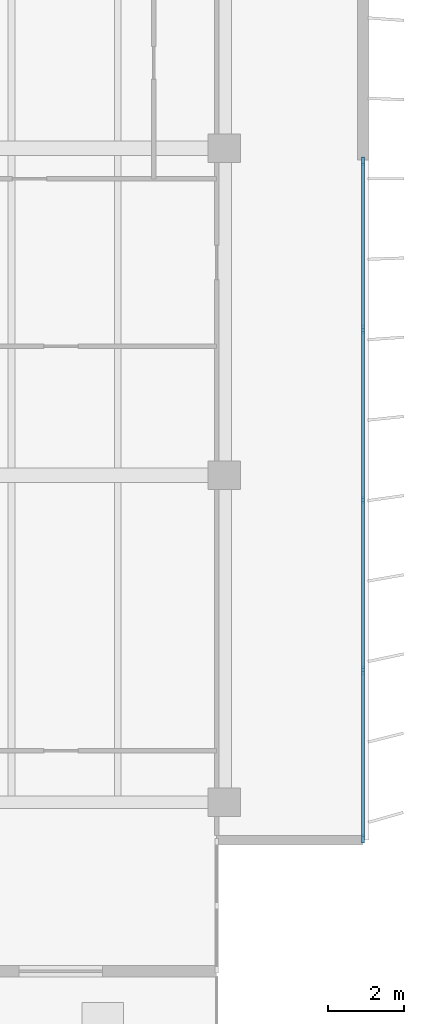
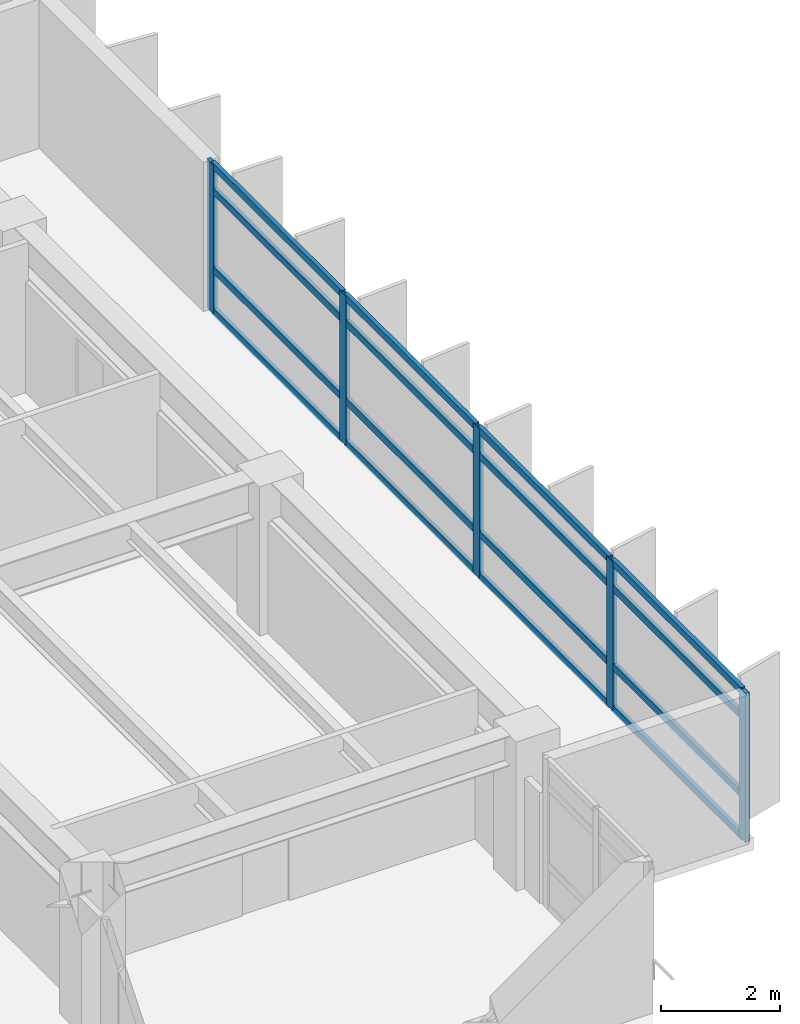
# One storey, part 6 of 17: 21 members, 1 element without a shape of its own.
"""IFC4 building model written with IfcOpenShell, lengths in metres."""

from ifc_helpers import new_model, si_unit, direction, frame, origin, origin_2d, place, context, subcontext, project, spatial, rectangle, extrude, material, layer, layer_set, material_profile, profile_set, type_object, element, aggregate, save


model = new_model("IFC4")

# Units and contexts
model_context = context("Model", 3, precision=1e-05, world=origin(), true_north=direction((0.0, 1.0)))
body_context = subcontext(model_context, "Body", "Model", "MODEL_VIEW")
ifc_project = project(units=[si_unit("LENGTHUNIT", "METRE"), si_unit("AREAUNIT", "SQUARE_METRE"), si_unit("VOLUMEUNIT", "CUBIC_METRE"), si_unit("PLANEANGLEUNIT", "RADIAN"), si_unit("MASSUNIT", "GRAM", prefix="KILO")], contexts=[model_context])

# Site, building, storey
site_placement = place(None, origin())
site = spatial("IfcSite", under=ifc_project, at=site_placement, CompositionType="ELEMENT")
building_placement = place(site_placement, origin())
building = spatial("IfcBuilding", under=site, at=building_placement, Name="Caelmar Bay Residences", CompositionType="ELEMENT")
storey_placement = place(building_placement, frame((0.0, 0.0, 201.60009765625)))
storey = spatial("IfcBuildingStorey", under=building, at=storey_placement, Name="L56", CompositionType="ELEMENT", Elevation=201.60009765625)

# Curtain wall, members
ifc_material_1 = material(Name="Anodised bronze aluminium 6063-T6 and laminated glass", Category="aluminium")
ifc_layer = layer(ifc_material_1, 0.179931640625)
ifc_layer_set = layer_set([ifc_layer], Name="Anodised bronze aluminium 6063-T6 and laminated glass")
curtain_wall_type = type_object("IfcCurtainWallType", Name="CW4-Z3", PredefinedType="NOTDEFINED", material=ifc_layer_set)
curtain_wall_placement = place(storey_placement, origin())
curtain_wall = element("IfcCurtainWall", 1, at=curtain_wall_placement, inside=storey, type_object=curtain_wall_type, Name="CW4 curtain wall L56", PredefinedType="NOTDEFINED")
ifc_material_2 = material(Name="Anodised bronze aluminium 6063-T6", Category="aluminium")
ifc_material_profile_1 = material_profile(ifc_material_2, rectangle(XDim=0.080078125, YDim=0.219970703125, at=origin_2d()), Name="CWM-80X220")
ifc_profile_set_1 = profile_set([ifc_material_profile_1], Name="Anodised bronze aluminium 6063-T6")
member_type_1 = type_object("IfcMemberType", Name="CWM-220", PredefinedType="MULLION", material=ifc_profile_set_1)
member_1_placement = place(storey_placement, frame((71.550048828125, 29.06005859375, 0.0), z_axis=(0.0, 0.0, 1.0), x_axis=(1.0, 0.0, 0.0)))
member_1 = element("IfcMember", 2, at=member_1_placement, type_object=member_type_1, Name="CW4 mullion 1", PredefinedType="MULLION", context=body_context, shape_type="SweptSolid", body=[
    extrude(rectangle(XDim=0.080078125, YDim=0.219970703125, at=origin_2d()), origin(), (0.0, 0.0, 1.0), 3.0498046875),
])
member_2_placement = place(storey_placement, frame((71.550048828125, 24.625, 0.0), z_axis=(0.0, 0.0, 1.0), x_axis=(1.0, 0.0, 0.0)))
member_2 = element("IfcMember", 3, at=member_2_placement, type_object=member_type_1, Name="CW4 mullion 2", PredefinedType="MULLION", context=body_context, shape_type="SweptSolid", body=[
    extrude(rectangle(XDim=0.080078125, YDim=0.219970703125, at=origin_2d()), origin(), (0.0, 0.0, 1.0), 3.0498046875),
])
member_3_placement = place(storey_placement, frame((71.550048828125, 20.14990234375, 0.0), z_axis=(0.0, 0.0, 1.0), x_axis=(1.0, 0.0, 0.0)))
member_3 = element("IfcMember", 4, at=member_3_placement, type_object=member_type_1, Name="CW4 mullion 3", PredefinedType="MULLION", context=body_context, shape_type="SweptSolid", body=[
    extrude(rectangle(XDim=0.080078125, YDim=0.219970703125, at=origin_2d()), origin(), (0.0, 0.0, 1.0), 3.0498046875),
])
member_4_placement = place(storey_placement, frame((71.550048828125, 15.675048828125, 0.0), z_axis=(0.0, 0.0, 1.0), x_axis=(1.0, 0.0, 0.0)))
member_4 = element("IfcMember", 5, at=member_4_placement, type_object=member_type_1, Name="CW4 mullion 4", PredefinedType="MULLION", context=body_context, shape_type="SweptSolid", body=[
    extrude(rectangle(XDim=0.080078125, YDim=0.219970703125, at=origin_2d()), origin(), (0.0, 0.0, 1.0), 3.0498046875),
])
member_5_placement = place(storey_placement, frame((71.550048828125, 11.239990234375, 0.0), z_axis=(0.0, 0.0, 1.0), x_axis=(1.0, 0.0, 0.0)))
member_5 = element("IfcMember", 6, at=member_5_placement, type_object=member_type_1, Name="CW4 mullion 5", PredefinedType="MULLION", context=body_context, shape_type="SweptSolid", body=[
    extrude(rectangle(XDim=0.080078125, YDim=0.219970703125, at=origin_2d()), origin(), (0.0, 0.0, 1.0), 3.0498046875),
])
ifc_material_profile_2 = material_profile(ifc_material_2, rectangle(XDim=0.080078125, YDim=0.139892578125, at=origin_2d()), Name="CWT-80X140")
ifc_profile_set_2 = profile_set([ifc_material_profile_2], Name="Anodised bronze aluminium 6063-T6")
member_type_2 = type_object("IfcMemberType", Name="CWT-140", PredefinedType="NOTDEFINED", material=ifc_profile_set_2)
member_6_placement = place(storey_placement, frame((71.550048828125, 29.02001953125, 0.039794921875), z_axis=(0.0, -1.0, 0.0), x_axis=(1.0, 0.0, 0.0)))
member_6 = element("IfcMember", 7, at=member_6_placement, type_object=member_type_2, Name="CW4 transom 1.1", ObjectType="TRANSOM", PredefinedType="USERDEFINED", context=body_context, shape_type="SweptSolid", body=[
    extrude(rectangle(XDim=0.080078125, YDim=0.139892578125, at=origin_2d()), origin(), (0.0, 0.0, 1.0), 4.35498046875),
])
member_7_placement = place(storey_placement, frame((71.550048828125, 29.02001953125, 0.89990234375), z_axis=(0.0, -1.0, 0.0), x_axis=(1.0, 0.0, 0.0)))
member_7 = element("IfcMember", 8, at=member_7_placement, type_object=member_type_2, Name="CW4 transom 1.2", ObjectType="TRANSOM", PredefinedType="USERDEFINED", context=body_context, shape_type="SweptSolid", body=[
    extrude(rectangle(XDim=0.080078125, YDim=0.139892578125, at=origin_2d()), origin(), (0.0, 0.0, 1.0), 4.35498046875),
])
member_8_placement = place(storey_placement, frame((71.550048828125, 29.02001953125, 2.5), z_axis=(0.0, -1.0, 0.0), x_axis=(1.0, 0.0, 0.0)))
member_8 = element("IfcMember", 9, at=member_8_placement, type_object=member_type_2, Name="CW4 transom 1.3", ObjectType="TRANSOM", PredefinedType="USERDEFINED", context=body_context, shape_type="SweptSolid", body=[
    extrude(rectangle(XDim=0.080078125, YDim=0.139892578125, at=origin_2d()), origin(), (0.0, 0.0, 1.0), 4.35498046875),
])
member_9_placement = place(storey_placement, frame((71.550048828125, 29.02001953125, 3.010009765625), z_axis=(0.0, -1.0, 0.0), x_axis=(1.0, 0.0, 0.0)))
member_9 = element("IfcMember", 10, at=member_9_placement, type_object=member_type_2, Name="CW4 transom 1.4", ObjectType="TRANSOM", PredefinedType="USERDEFINED", context=body_context, shape_type="SweptSolid", body=[
    extrude(rectangle(XDim=0.080078125, YDim=0.139892578125, at=origin_2d()), origin(), (0.0, 0.0, 1.0), 4.35498046875),
])
member_10_placement = place(storey_placement, frame((71.550048828125, 24.5849609375, 0.039794921875), z_axis=(0.0, -1.0, 0.0), x_axis=(1.0, 0.0, 0.0)))
member_10 = element("IfcMember", 11, at=member_10_placement, type_object=member_type_2, Name="CW4 transom 2.1", ObjectType="TRANSOM", PredefinedType="USERDEFINED", context=body_context, shape_type="SweptSolid", body=[
    extrude(rectangle(XDim=0.080078125, YDim=0.139892578125, at=origin_2d()), origin(), (0.0, 0.0, 1.0), 4.39501953125),
])
member_11_placement = place(storey_placement, frame((71.550048828125, 24.5849609375, 0.89990234375), z_axis=(0.0, -1.0, 0.0), x_axis=(1.0, 0.0, 0.0)))
member_11 = element("IfcMember", 12, at=member_11_placement, type_object=member_type_2, Name="CW4 transom 2.2", ObjectType="TRANSOM", PredefinedType="USERDEFINED", context=body_context, shape_type="SweptSolid", body=[
    extrude(rectangle(XDim=0.080078125, YDim=0.139892578125, at=origin_2d()), origin(), (0.0, 0.0, 1.0), 4.39501953125),
])
member_12_placement = place(storey_placement, frame((71.550048828125, 24.5849609375, 2.5), z_axis=(0.0, -1.0, 0.0), x_axis=(1.0, 0.0, 0.0)))
member_12 = element("IfcMember", 13, at=member_12_placement, type_object=member_type_2, Name="CW4 transom 2.3", ObjectType="TRANSOM", PredefinedType="USERDEFINED", context=body_context, shape_type="SweptSolid", body=[
    extrude(rectangle(XDim=0.080078125, YDim=0.139892578125, at=origin_2d()), origin(), (0.0, 0.0, 1.0), 4.39501953125),
])
member_13_placement = place(storey_placement, frame((71.550048828125, 24.5849609375, 3.010009765625), z_axis=(0.0, -1.0, 0.0), x_axis=(1.0, 0.0, 0.0)))
member_13 = element("IfcMember", 14, at=member_13_placement, type_object=member_type_2, Name="CW4 transom 2.4", ObjectType="TRANSOM", PredefinedType="USERDEFINED", context=body_context, shape_type="SweptSolid", body=[
    extrude(rectangle(XDim=0.080078125, YDim=0.139892578125, at=origin_2d()), origin(), (0.0, 0.0, 1.0), 4.39501953125),
])
member_14_placement = place(storey_placement, frame((71.550048828125, 20.110107421875, 0.039794921875), z_axis=(0.0, -1.0, 0.0), x_axis=(1.0, 0.0, 0.0)))
member_14 = element("IfcMember", 15, at=member_14_placement, type_object=member_type_2, Name="CW4 transom 3.1", ObjectType="TRANSOM", PredefinedType="USERDEFINED", context=body_context, shape_type="SweptSolid", body=[
    extrude(rectangle(XDim=0.080078125, YDim=0.139892578125, at=origin_2d()), origin(), (0.0, 0.0, 1.0), 4.39501953125),
])
member_15_placement = place(storey_placement, frame((71.550048828125, 20.110107421875, 0.89990234375), z_axis=(0.0, -1.0, 0.0), x_axis=(1.0, 0.0, 0.0)))
member_15 = element("IfcMember", 16, at=member_15_placement, type_object=member_type_2, Name="CW4 transom 3.2", ObjectType="TRANSOM", PredefinedType="USERDEFINED", context=body_context, shape_type="SweptSolid", body=[
    extrude(rectangle(XDim=0.080078125, YDim=0.139892578125, at=origin_2d()), origin(), (0.0, 0.0, 1.0), 4.39501953125),
])
member_16_placement = place(storey_placement, frame((71.550048828125, 20.110107421875, 2.5), z_axis=(0.0, -1.0, 0.0), x_axis=(1.0, 0.0, 0.0)))
member_16 = element("IfcMember", 17, at=member_16_placement, type_object=member_type_2, Name="CW4 transom 3.3", ObjectType="TRANSOM", PredefinedType="USERDEFINED", context=body_context, shape_type="SweptSolid", body=[
    extrude(rectangle(XDim=0.080078125, YDim=0.139892578125, at=origin_2d()), origin(), (0.0, 0.0, 1.0), 4.39501953125),
])
member_17_placement = place(storey_placement, frame((71.550048828125, 20.110107421875, 3.010009765625), z_axis=(0.0, -1.0, 0.0), x_axis=(1.0, 0.0, 0.0)))
member_17 = element("IfcMember", 18, at=member_17_placement, type_object=member_type_2, Name="CW4 transom 3.4", ObjectType="TRANSOM", PredefinedType="USERDEFINED", context=body_context, shape_type="SweptSolid", body=[
    extrude(rectangle(XDim=0.080078125, YDim=0.139892578125, at=origin_2d()), origin(), (0.0, 0.0, 1.0), 4.39501953125),
])
member_18_placement = place(storey_placement, frame((71.550048828125, 15.635009765625, 0.039794921875), z_axis=(0.0, -1.0, 0.0), x_axis=(1.0, 0.0, 0.0)))
member_18 = element("IfcMember", 19, at=member_18_placement, type_object=member_type_2, Name="CW4 transom 4.1", ObjectType="TRANSOM", PredefinedType="USERDEFINED", context=body_context, shape_type="SweptSolid", body=[
    extrude(rectangle(XDim=0.080078125, YDim=0.139892578125, at=origin_2d()), origin(), (0.0, 0.0, 1.0), 4.35498046875),
])
member_19_placement = place(storey_placement, frame((71.550048828125, 15.635009765625, 0.89990234375), z_axis=(0.0, -1.0, 0.0), x_axis=(1.0, 0.0, 0.0)))
member_19 = element("IfcMember", 20, at=member_19_placement, type_object=member_type_2, Name="CW4 transom 4.2", ObjectType="TRANSOM", PredefinedType="USERDEFINED", context=body_context, shape_type="SweptSolid", body=[
    extrude(rectangle(XDim=0.080078125, YDim=0.139892578125, at=origin_2d()), origin(), (0.0, 0.0, 1.0), 4.35498046875),
])
member_20_placement = place(storey_placement, frame((71.550048828125, 15.635009765625, 2.5), z_axis=(0.0, -1.0, 0.0), x_axis=(1.0, 0.0, 0.0)))
member_20 = element("IfcMember", 21, at=member_20_placement, type_object=member_type_2, Name="CW4 transom 4.3", ObjectType="TRANSOM", PredefinedType="USERDEFINED", context=body_context, shape_type="SweptSolid", body=[
    extrude(rectangle(XDim=0.080078125, YDim=0.139892578125, at=origin_2d()), origin(), (0.0, 0.0, 1.0), 4.35498046875),
])
member_21_placement = place(storey_placement, frame((71.550048828125, 15.635009765625, 3.010009765625), z_axis=(0.0, -1.0, 0.0), x_axis=(1.0, 0.0, 0.0)))
member_21 = element("IfcMember", 22, at=member_21_placement, type_object=member_type_2, Name="CW4 transom 4.4", ObjectType="TRANSOM", PredefinedType="USERDEFINED", context=body_context, shape_type="SweptSolid", body=[
    extrude(rectangle(XDim=0.080078125, YDim=0.139892578125, at=origin_2d()), origin(), (0.0, 0.0, 1.0), 4.35498046875),
])
aggregate(curtain_wall, [member_1, member_2, member_3, member_4, member_5, member_6, member_7, member_8, member_9, member_10, member_11, member_12, member_13, member_14, member_15, member_16, member_17, member_18, member_19, member_20, member_21])

save(model, "model.ifc")
